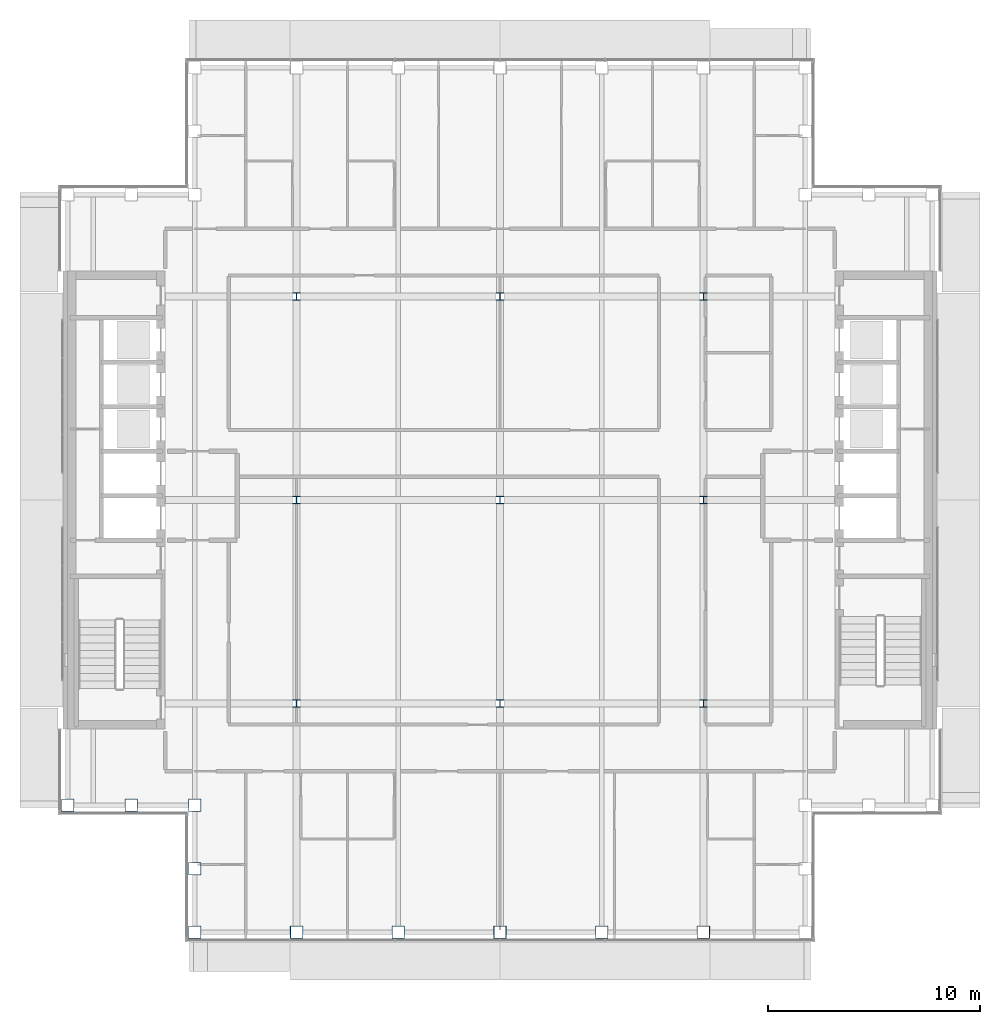
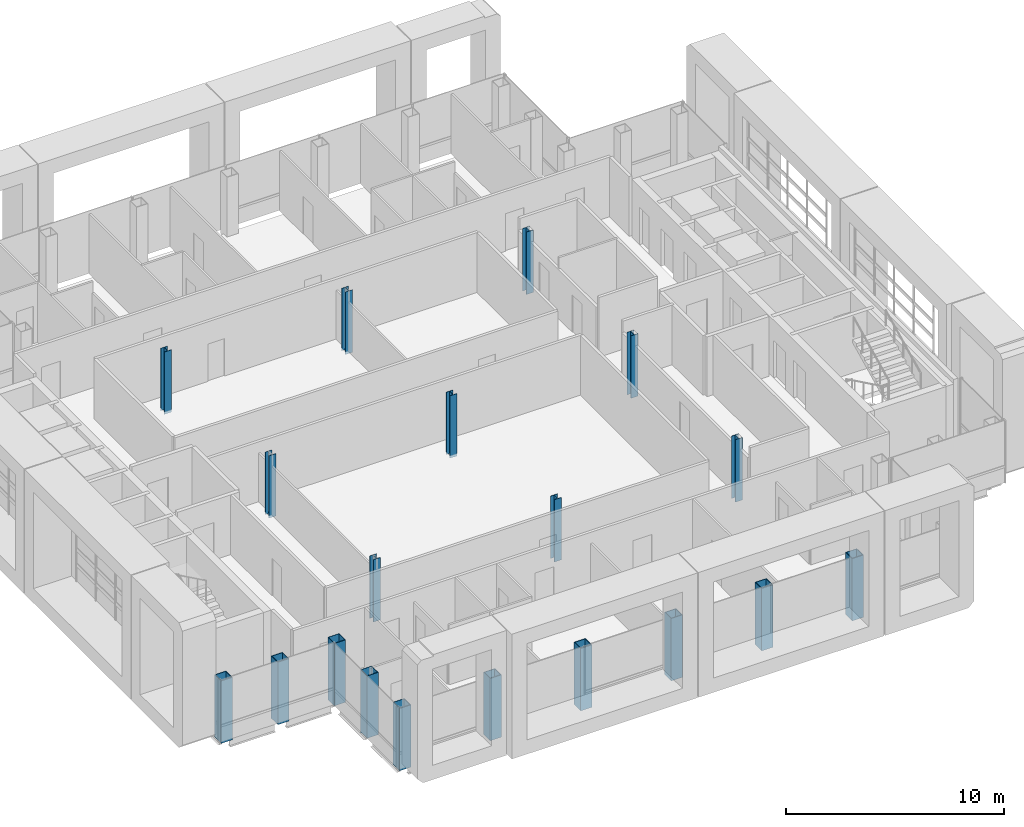
# One storey, part 1 of 21: 19 columns.
"""IFC4 building model written with IfcOpenShell, lengths in metres."""

from ifc_helpers import new_model, si_unit, direction, frame, origin, origin_2d, place, context, subcontext, project, spatial, hollow_rectangle, i_section, extrude, material, material_profile, profile_set, type_object, element, save


model = new_model("IFC4")

# Units and contexts
model_context = context("Model", 3, precision=1e-05, world=origin(), true_north=direction((0.0, 1.0)))
body_context = subcontext(model_context, "Body", "Model", "MODEL_VIEW")
ifc_project = project(units=[si_unit("LENGTHUNIT", "METRE"), si_unit("AREAUNIT", "SQUARE_METRE"), si_unit("VOLUMEUNIT", "CUBIC_METRE"), si_unit("PLANEANGLEUNIT", "RADIAN"), si_unit("MASSUNIT", "GRAM", prefix="KILO")], contexts=[model_context])

# Site, building, storey
site_placement = place(None, origin())
site = spatial("IfcSite", under=ifc_project, at=site_placement, CompositionType="ELEMENT")
building_placement = place(site_placement, origin())
building = spatial("IfcBuilding", under=site, at=building_placement, Name="Cobrizo Arcos Hotel Tower", CompositionType="ELEMENT")
storey_placement = place(building_placement, frame((0.0, 0.0, 248.0)))
storey = spatial("IfcBuildingStorey", under=building, at=storey_placement, Name="L65", CompositionType="ELEMENT", Elevation=248.0)

# Columns
ifc_material_1 = material(Name="Steel ASTM A572 Grade 50", Category="steel")
ifc_material_profile_1 = material_profile(ifc_material_1, hollow_rectangle(XDim=0.60009765625, YDim=0.60009765625, WallThickness=0.030029296875, at=origin_2d()), Name="BOX 600X600X30")
ifc_profile_set_1 = profile_set([ifc_material_profile_1], Name="Steel ASTM A572 Grade 50")
column_type_1 = type_object("IfcColumnType", Name="BOX 600X600X30 column", PredefinedType="COLUMN", material=ifc_profile_set_1)
for number, where, z_axis, x_axis, name in (
    (1, (-14.39990234375, -20.39990234375, -0.14990234375), (0.0, 0.0, 1.0), (1.0, 0.0, 0.0), "Perimeter column C12, L65, no. 01"),
    (2, (-9.60009765625, -20.39990234375, -0.14990234375), (0.0, 0.0, 1.0), (1.0, 0.0, 0.0), "Perimeter column C12, L65, no. 03"),
    (3, (-4.800048828125, -20.39990234375, -0.14990234375), (0.0, 0.0, 1.0), (1.0, 0.0, 0.0), "Perimeter column C12, L65, no. 05"),
    (4, (0.0, -20.39990234375, -0.14990234375), (0.0, 0.0, 1.0), (1.0, 0.0, 0.0), "Perimeter column C12, L65, no. 07"),
    (5, (4.800048828125, -20.39990234375, -0.14990234375), (0.0, 0.0, 1.0), (1.0, 0.0, 0.0), "Perimeter column C12, L65, no. 09"),
    (6, (9.60009765625, -20.39990234375, -0.14990234375), (0.0, 0.0, 1.0), (1.0, 0.0, 0.0), "Perimeter column C12, L65, no. 11"),
    (7, (-20.39990234375, -14.39990234375, -0.14990234375), (0.0, 0.0, 1.0), (1.0, 0.0, 0.0), "Perimeter column C12, L65, no. 15"),
    (8, (-14.39990234375, -14.39990234375, -0.14990234375), (0.0, 0.0, 1.0), (1.0, 0.0, 0.0), "Perimeter column C12, L65, no. 18"),
    (9, (-14.39990234375, -17.39990234375, -0.14990234375), (0.0, 0.0, 1.0), (1.0, 0.0, 0.0), "Perimeter column C12, L65, no. 19"),
    (10, (-17.39990234375, -14.39990234375, -0.14990234375), (0.0, 0.0, 1.0), (1.0, 0.0, 0.0), "Perimeter column C12, L65, no. 20"),
):
    element("IfcColumn", number, at=place(storey_placement, frame(where, z_axis=z_axis, x_axis=x_axis)), inside=storey, type_object=column_type_1, Name=name, PredefinedType="COLUMN", context=body_context, shape_type="SweptSolid", body=[
        extrude(hollow_rectangle(XDim=0.60009765625, YDim=0.60009765625, WallThickness=0.030029296875, at=origin_2d()), origin(), (0.0, 0.0, 1.0), 3.5),
    ])
ifc_material_2 = material(Name="Steel ASTM A992 Grade 50", Category="steel")
ifc_material_profile_2 = material_profile(ifc_material_2, i_section(OverallWidth=0.368408203125, OverallDepth=0.355712890625, WebThickness=0.01123046875, FlangeThickness=0.01806640625, at=origin_2d()), Name="W14X90")
ifc_profile_set_2 = profile_set([ifc_material_profile_2], Name="Steel ASTM A992 Grade 50")
column_type_2 = type_object("IfcColumnType", Name="W14X90 interior column", PredefinedType="COLUMN", material=ifc_profile_set_2)
for number, where, z_axis, x_axis, name in (
    (11, (-9.60009765625, -9.60009765625, -0.14990234375), (0.0, 0.0, 1.0), (1.0, 0.0, 0.0), "Interior column C13, L65, no. 00"),
    (12, (-9.60009765625, 0.0, -0.14990234375), (0.0, 0.0, 1.0), (1.0, 0.0, 0.0), "Interior column C13, L65, no. 01"),
    (13, (-9.60009765625, 9.60009765625, -0.14990234375), (0.0, 0.0, 1.0), (1.0, 0.0, 0.0), "Interior column C13, L65, no. 02"),
    (14, (0.0, -9.60009765625, -0.14990234375), (0.0, 0.0, 1.0), (1.0, 0.0, 0.0), "Interior column C13, L65, no. 03"),
    (15, (0.0, 0.0, -0.14990234375), (0.0, 0.0, 1.0), (1.0, 0.0, 0.0), "Interior column C13, L65, no. 04"),
    (16, (0.0, 9.60009765625, -0.14990234375), (0.0, 0.0, 1.0), (1.0, 0.0, 0.0), "Interior column C13, L65, no. 05"),
    (17, (9.60009765625, -9.60009765625, -0.14990234375), (0.0, 0.0, 1.0), (1.0, 0.0, 0.0), "Interior column C13, L65, no. 06"),
    (18, (9.60009765625, 0.0, -0.14990234375), (0.0, 0.0, 1.0), (1.0, 0.0, 0.0), "Interior column C13, L65, no. 07"),
    (19, (9.60009765625, 9.60009765625, -0.14990234375), (0.0, 0.0, 1.0), (1.0, 0.0, 0.0), "Interior column C13, L65, no. 08"),
):
    element("IfcColumn", number, at=place(storey_placement, frame(where, z_axis=z_axis, x_axis=x_axis)), inside=storey, type_object=column_type_2, Name=name, PredefinedType="COLUMN", context=body_context, shape_type="SweptSolid", body=[
        extrude(i_section(OverallWidth=0.368408203125, OverallDepth=0.355712890625, WebThickness=0.01123046875, FlangeThickness=0.01806640625, at=origin_2d()), origin(), (0.0, 0.0, 1.0), 3.5),
    ])

save(model, "model.ifc")
